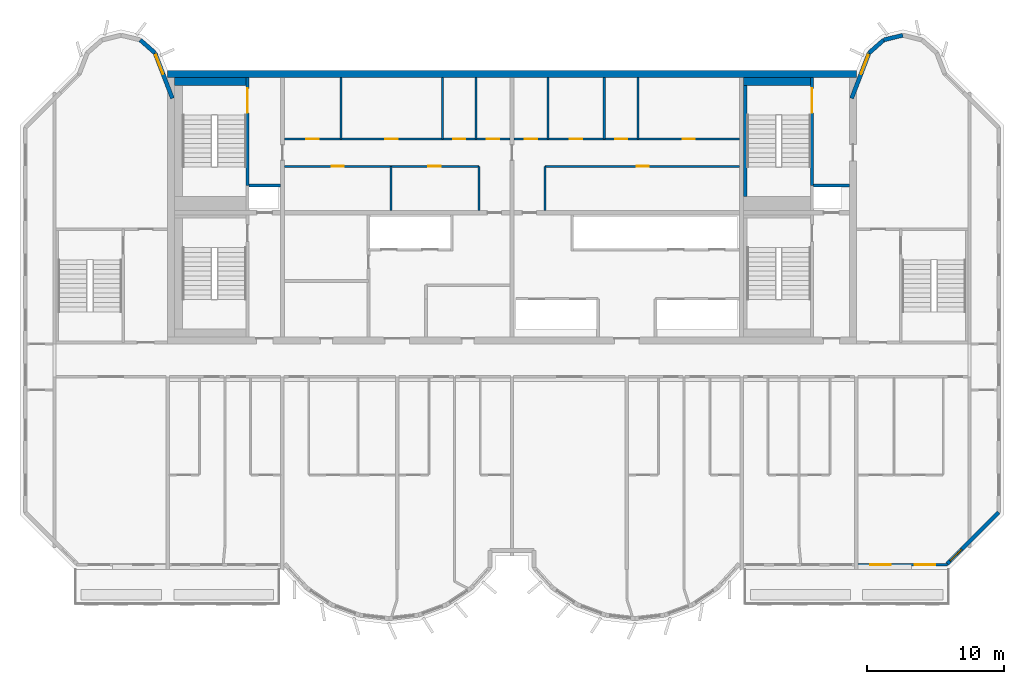
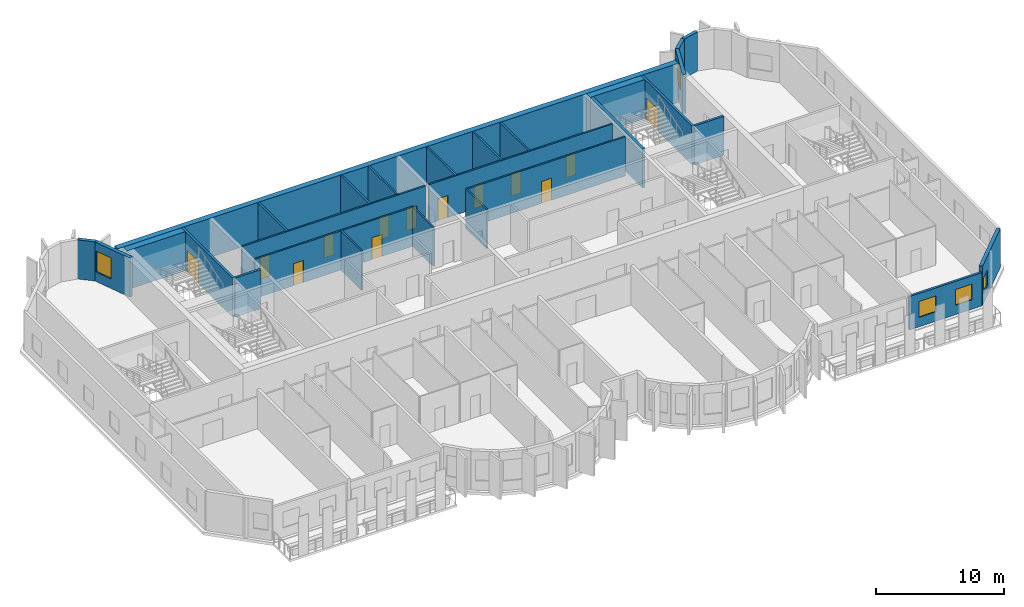
# One storey, part 7 of 12: 28 walls, 13 doors, 5 windows, 18 openings.
"""IFC4 building model written with IfcOpenShell, lengths in metres."""

from ifc_helpers import new_model, si_unit, direction, frame, frame_2d, origin, place, context, subcontext, project, spatial, rectangle, extrude, source, transform, mapped, material, layer, layer_set, type_object, element, fill, save


model = new_model("IFC4")

# Units and contexts
model_context = context("Model", 3, precision=1e-05, world=origin(), true_north=direction((0.0, 1.0)))
body_context = subcontext(model_context, "Body", "Model", "MODEL_VIEW")
ifc_project = project(units=[si_unit("LENGTHUNIT", "METRE"), si_unit("AREAUNIT", "SQUARE_METRE"), si_unit("VOLUMEUNIT", "CUBIC_METRE"), si_unit("PLANEANGLEUNIT", "RADIAN"), si_unit("MASSUNIT", "GRAM", prefix="KILO")], contexts=[model_context])

# Site, building, storey
site_placement = place(None, origin())
site = spatial("IfcSite", under=ifc_project, at=site_placement, CompositionType="ELEMENT")
building_placement = place(site_placement, origin())
building = spatial("IfcBuilding", under=site, at=building_placement, Name="Vanashikhar Sky Hotel", CompositionType="ELEMENT")
storey_placement = place(building_placement, frame((0.0, 0.0, 301.699951171875)))
storey = spatial("IfcBuildingStorey", under=building, at=storey_placement, Name="L72", CompositionType="ELEMENT", Elevation=301.699951171875)

# Wall
ifc_material_1 = material(Name="Concrete M50", Category="concrete")
ifc_layer_1 = layer(ifc_material_1, 0.5)
ifc_layer_set_1 = layer_set([ifc_layer_1], Name="RC core shell wall 500 Concrete M50")
wall_type_1 = type_object("IfcWallType", Name="RC core shell wall 500 Concrete M50", PredefinedType="SHEAR", material=ifc_layer_set_1)
shared_shape_1 = source(origin(), body_context, "Body", "SweptSolid", [
    extrude(rectangle(XDim=50.400146484375, YDim=0.5, at=frame_2d((25.2001953125, 0.0))), origin(), (0.0, 0.0, 1.0), 3.719970703125),
])
wall_1_placement = place(storey_placement, frame((25.199951171875, 41.75, 0.0), z_axis=(0.0, 0.0, 1.0), x_axis=(1.0, 0.0, 0.0)))
element("IfcWall", 1, at=wall_1_placement, inside=storey, type_object=wall_type_1, Name="KW-L72-KN", PredefinedType="SHEAR", context=body_context, shape_type="MappedRepresentation", body=[
    mapped(shared_shape_1, transform((0.0, 0.0, 0.0), scale=1.0)),
])

# Wall, openings, windows
ifc_layer_2 = layer(ifc_material_1, 0.199951171875)
ifc_layer_set_2 = layer_set([ifc_layer_2], Name="Front window wall 200")
wall_type_2 = type_object("IfcWallType", Name="Front window wall 200", PredefinedType="SOLIDWALL", material=ifc_layer_set_2)
shared_shape_2 = source(origin(), body_context, "Body", "SweptSolid", [
    extrude(rectangle(XDim=6.52978515625, YDim=0.199951171875, at=frame_2d((3.264892578125, 0.0))), origin(), (0.0, 0.0, 1.0), 3.170166015625),
])
wall_2_placement = place(storey_placement, frame((75.72509765625, 5.85009765625, 0.0), z_axis=(0.0, 0.0, 1.0), x_axis=(1.0, 0.0, 0.0)))
wall_2 = element("IfcWall", 2, at=wall_2_placement, inside=storey, type_object=wall_type_2, Name="Front window wall", PredefinedType="SOLIDWALL", context=body_context, shape_type="MappedRepresentation", body=[
    mapped(shared_shape_2, transform((0.0, 0.0, 0.0), scale=1.0)),
])
shared_shape_3 = source(origin(), body_context, "Body", "SweptSolid", [
    extrude(rectangle(XDim=1.5, YDim=1.5, at=frame_2d((0.75, 0.75))), frame((0.0, 0.10986328125, 0.0), z_axis=(0.0, -1.0, 0.0), x_axis=(1.0, 0.0, 0.0)), (0.0, 0.0, 1.0), 0.219970703125),
])
opening_1_placement = place(wall_2_placement, frame((0.882568359375, 0.0, 0.89990234375)))
opening_1 = element("IfcOpeningElement", 3, at=opening_1_placement, cuts=wall_2, Name="Opening WN-1", PredefinedType="OPENING", context=body_context, shape_type="MappedRepresentation", body=[
    mapped(shared_shape_3, transform((0.0, 0.0, 0.0), scale=1.0)),
])
opening_2_placement = place(wall_2_placement, frame((4.1474609375, 0.0, 0.89990234375)))
opening_2 = element("IfcOpeningElement", 4, at=opening_2_placement, cuts=wall_2, Name="Opening WN-1", PredefinedType="OPENING", context=body_context, shape_type="MappedRepresentation", body=[
    mapped(shared_shape_3, transform((0.0, 0.0, 0.0), scale=1.0)),
])
ifc_material_2 = material(Name="Glass", Category="glass")
window_type_1 = type_object("IfcWindowType", Name="Window 1500 x 1500", PartitioningType="SINGLE_PANEL", PredefinedType="WINDOW", material=ifc_material_2)
shared_shape_4 = source(origin(), body_context, "Body", "SweptSolid", [
    extrude(rectangle(XDim=1.5, YDim=1.5, at=frame_2d((0.75, 0.75))), frame((0.0, 0.030029296875, 0.0), z_axis=(0.0, -1.0, 0.0), x_axis=(1.0, 0.0, 0.0)), (0.0, 0.0, 1.0), 0.06005859375),
])
window_1_placement = place(opening_1_placement, origin())
window_1 = element("IfcWindow", 5, at=window_1_placement, inside=storey, type_object=window_type_1, Name="Window WN-1", OverallHeight=1.5, OverallWidth=1.5, PartitioningType="SINGLE_PANEL", PredefinedType="WINDOW", context=body_context, shape_type="MappedRepresentation", body=[
    mapped(shared_shape_4, transform((0.0, 0.0, 0.0), scale=1.0)),
])
fill(opening_1, window_1)
window_2_placement = place(opening_2_placement, origin())
window_2 = element("IfcWindow", 6, at=window_2_placement, inside=storey, type_object=window_type_1, Name="Window WN-1", OverallHeight=1.5, OverallWidth=1.5, PartitioningType="SINGLE_PANEL", PredefinedType="WINDOW", context=body_context, shape_type="MappedRepresentation", body=[
    mapped(shared_shape_4, transform((0.0, 0.0, 0.0), scale=1.0)),
])
fill(opening_2, window_2)

# Wall, opening, window
ifc_layer_3 = layer(ifc_material_1, 0.300048828125)
ifc_layer_set_3 = layer_set([ifc_layer_3], Name="Lobe wall 300")
wall_type_3 = type_object("IfcWallType", Name="Lobe wall 300", PredefinedType="SOLIDWALL", material=ifc_layer_set_3)
shared_shape_5 = source(origin(), body_context, "Body", "SweptSolid", [
    extrude(rectangle(XDim=5.32568359375, YDim=0.300048828125, at=frame_2d((2.662841796875, 0.0))), origin(), (0.0, 0.0, 1.0), 3.719970703125),
])
wall_3_placement = place(storey_placement, frame((82.234375, 5.89990234375, 0.0), z_axis=(0.0, 0.0, 1.0), x_axis=(0.707083859269, 0.707129702361, 0.0)))
wall_3 = element("IfcWall", 7, at=wall_3_placement, inside=storey, type_object=wall_type_3, Name="Corner wall", PredefinedType="SOLIDWALL", context=body_context, shape_type="MappedRepresentation", body=[
    mapped(shared_shape_5, transform((0.0, 0.0, 0.0), scale=1.0)),
])
shared_shape_6 = source(origin(), body_context, "Body", "SweptSolid", [
    extrude(rectangle(XDim=1.199951171875, YDim=1.5, at=frame_2d((0.60009765625, 0.75))), frame((0.0, 0.16015625, 0.0), z_axis=(0.0, -1.0, 0.0), x_axis=(1.0, 0.0, 0.0)), (0.0, 0.0, 1.0), 0.320068359375),
])
opening_3_placement = place(wall_3_placement, frame((0.31005859375, 0.0, 0.89990234375)))
opening_3 = element("IfcOpeningElement", 8, at=opening_3_placement, cuts=wall_3, Name="Opening WN-3", PredefinedType="OPENING", context=body_context, shape_type="MappedRepresentation", body=[
    mapped(shared_shape_6, transform((0.0, 0.0, 0.0), scale=1.0)),
])
window_type_2 = type_object("IfcWindowType", Name="Corridor end window 1200 x 1500", PartitioningType="SINGLE_PANEL", PredefinedType="WINDOW", material=ifc_material_2)
shared_shape_7 = source(origin(), body_context, "Body", "SweptSolid", [
    extrude(rectangle(XDim=1.199951171875, YDim=1.5, at=frame_2d((0.60009765625, 0.75))), frame((0.0, 0.030029296875, 0.0), z_axis=(0.0, -1.0, 0.0), x_axis=(1.0, 0.0, 0.0)), (0.0, 0.0, 1.0), 0.06005859375),
])
window_3_placement = place(opening_3_placement, origin())
window_3 = element("IfcWindow", 9, at=window_3_placement, inside=storey, type_object=window_type_2, Name="Window WN-3", OverallHeight=1.5, OverallWidth=1.199951171875, PartitioningType="SINGLE_PANEL", PredefinedType="WINDOW", context=body_context, shape_type="MappedRepresentation", body=[
    mapped(shared_shape_7, transform((0.0, 0.0, 0.0), scale=1.0)),
])
fill(opening_3, window_3)

# Walls
shared_shape_8 = source(origin(), body_context, "Body", "SweptSolid", [
    extrude(rectangle(XDim=1.43994140625, YDim=0.300048828125, at=frame_2d((0.719970703125, 0.0))), origin(), (0.0, 0.0, 1.0), 3.719970703125),
])
wall_4_placement = place(storey_placement, frame((77.602783203125, 44.2451171875, 0.0), z_axis=(0.0, 0.0, 1.0), x_axis=(-0.74957555648, -0.661918790432, 0.0)))
element("IfcWall", 10, at=wall_4_placement, inside=storey, type_object=wall_type_3, Name="Lobe wall", PredefinedType="SOLIDWALL", context=body_context, shape_type="MappedRepresentation", body=[
    mapped(shared_shape_8, transform((0.0, 0.0, 0.0), scale=1.0)),
])
shared_shape_9 = source(origin(), body_context, "Body", "SweptSolid", [
    extrude(rectangle(XDim=1.438720703125, YDim=0.300048828125, at=frame_2d((0.71923828125, 0.0))), origin(), (0.0, 0.0, 1.0), 3.719970703125),
])
wall_5_placement = place(storey_placement, frame((79.0, 44.588134765625, 0.0), z_axis=(0.0, 0.0, 1.0), x_axis=(-0.971161932466, -0.238420848351, 0.0)))
element("IfcWall", 11, at=wall_5_placement, inside=storey, type_object=wall_type_3, Name="Lobe wall", PredefinedType="SOLIDWALL", context=body_context, shape_type="MappedRepresentation", body=[
    mapped(shared_shape_9, transform((0.0, 0.0, 0.0), scale=1.0)),
])

# Wall, opening, window
shared_shape_10 = source(origin(), body_context, "Body", "SweptSolid", [
    extrude(rectangle(XDim=3.55908203125, YDim=0.300048828125, at=frame_2d((1.779541015625, 0.0))), origin(), (0.0, 0.0, 1.0), 3.719970703125),
])
wall_6_placement = place(storey_placement, frame((76.5234375, 43.2919921875, 0.0), z_axis=(0.0, 0.0, 1.0), x_axis=(-0.35779745313, -0.933799219604, 0.0)))
wall_6 = element("IfcWall", 12, at=wall_6_placement, inside=storey, type_object=wall_type_3, Name="Lobe wall", PredefinedType="SOLIDWALL", context=body_context, shape_type="MappedRepresentation", body=[
    mapped(shared_shape_10, transform((0.0, 0.0, 0.0), scale=1.0)),
])
shared_shape_11 = source(origin(), body_context, "Body", "SweptSolid", [
    extrude(rectangle(XDim=1.5, YDim=2.0, at=frame_2d((0.75, 1.0))), frame((0.0, 0.16015625, 0.0), z_axis=(0.0, -1.0, 0.0), x_axis=(1.0, 0.0, 0.0)), (0.0, 0.0, 1.0), 0.320068359375),
])
opening_4_placement = place(wall_6_placement, frame((0.156005859375, 0.0, 0.89990234375)))
opening_4 = element("IfcOpeningElement", 13, at=opening_4_placement, cuts=wall_6, Name="Opening WN-2", PredefinedType="OPENING", context=body_context, shape_type="MappedRepresentation", body=[
    mapped(shared_shape_11, transform((0.0, 0.0, 0.0), scale=1.0)),
])
window_type_3 = type_object("IfcWindowType", Name="Lobe window 1500 x 2000", PartitioningType="SINGLE_PANEL", PredefinedType="WINDOW", material=ifc_material_2)
shared_shape_12 = source(origin(), body_context, "Body", "SweptSolid", [
    extrude(rectangle(XDim=1.5, YDim=2.0, at=frame_2d((0.75, 1.0))), frame((0.0, 0.030029296875, 0.0), z_axis=(0.0, -1.0, 0.0), x_axis=(1.0, 0.0, 0.0)), (0.0, 0.0, 1.0), 0.06005859375),
])
window_4_placement = place(opening_4_placement, origin())
window_4 = element("IfcWindow", 14, at=window_4_placement, inside=storey, type_object=window_type_3, Name="Window WN-2", OverallHeight=2.0, OverallWidth=1.5, PartitioningType="SINGLE_PANEL", PredefinedType="WINDOW", context=body_context, shape_type="MappedRepresentation", body=[
    mapped(shared_shape_12, transform((0.0, 0.0, 0.0), scale=1.0)),
])
fill(opening_4, window_4)

wall_7_placement = place(storey_placement, frame((25.550048828125, 39.968505859375, 0.0), z_axis=(0.0, 0.0, 1.0), x_axis=(-0.35779745313, 0.933799219604, 0.0)))
wall_7 = element("IfcWall", 15, at=wall_7_placement, inside=storey, type_object=wall_type_3, Name="Lobe wall", PredefinedType="SOLIDWALL", context=body_context, shape_type="MappedRepresentation", body=[
    mapped(shared_shape_10, transform((0.0, 0.0, 0.0), scale=1.0)),
])
opening_5_placement = place(wall_7_placement, frame((1.9033203125, 0.0, 0.89990234375)))
opening_5 = element("IfcOpeningElement", 16, at=opening_5_placement, cuts=wall_7, Name="Opening WN-2", PredefinedType="OPENING", context=body_context, shape_type="MappedRepresentation", body=[
    mapped(shared_shape_11, transform((0.0, 0.0, 0.0), scale=1.0)),
])
window_5_placement = place(opening_5_placement, origin())
window_5 = element("IfcWindow", 17, at=window_5_placement, inside=storey, type_object=window_type_3, Name="Window WN-2", OverallHeight=2.0, OverallWidth=1.5, PartitioningType="SINGLE_PANEL", PredefinedType="WINDOW", context=body_context, shape_type="MappedRepresentation", body=[
    mapped(shared_shape_12, transform((0.0, 0.0, 0.0), scale=1.0)),
])
fill(opening_5, window_5)

# Walls
shared_shape_13 = source(origin(), body_context, "Body", "SweptSolid", [
    extrude(rectangle(XDim=1.440185546875, YDim=0.300048828125, at=frame_2d((0.72021484375, 0.0))), origin(), (0.0, 0.0, 1.0), 3.719970703125),
])
wall_8_placement = place(storey_placement, frame((24.276611328125, 43.2919921875, 0.0), z_axis=(0.0, 0.0, 1.0), x_axis=(-0.749649827867, 0.661834673902, 0.0)))
element("IfcWall", 18, at=wall_8_placement, inside=storey, type_object=wall_type_3, Name="Lobe wall", PredefinedType="SOLIDWALL", context=body_context, shape_type="MappedRepresentation", body=[
    mapped(shared_shape_13, transform((0.0, 0.0, 0.0), scale=1.0)),
])
ifc_material_3 = material(Name="Gypsum board partition")
ifc_layer_4 = layer(ifc_material_3, 0.14990234375)
ifc_layer_set_4 = layer_set([ifc_layer_4], Name="Service partition 150")
wall_type_4 = type_object("IfcWallType", Name="Service partition 150", PredefinedType="PARTITIONING", material=ifc_layer_set_4)
shared_shape_14 = source(origin(), body_context, "Body", "SweptSolid", [
    extrude(rectangle(XDim=3.25, YDim=0.14990234375, at=frame_2d((1.625, 0.0))), origin(), (0.0, 0.0, 1.0), 3.719970703125),
])
for number, where, z_axis, x_axis, name in (
    (19, (48.0, 31.75, 0.0), (0.0, 0.0, 1.0), (0.0, 1.0, 0.0), "Service partition 150"),
    (20, (41.5458984375, 31.75, 0.0), (0.0, 0.0, 1.0), (0.0, 1.0, 0.0), "Service partition 150"),
    (21, (52.800048828125, 31.75, 0.0), (0.0, 0.0, 1.0), (0.0, 1.0, 0.0), "Service partition 150"),
):
    element("IfcWall", number, at=place(storey_placement, frame(where, z_axis=z_axis, x_axis=x_axis)), inside=storey, type_object=wall_type_4, Name=name, PredefinedType="PARTITIONING", context=body_context, shape_type="MappedRepresentation", body=[
        mapped(shared_shape_14, transform((0.0, 0.0, 0.0), scale=1.0)),
    ])

# Wall, openings, doors
shared_shape_15 = source(origin(), body_context, "Body", "SweptSolid", [
    extrude(rectangle(XDim=14.25, YDim=0.14990234375, at=frame_2d((7.125, 0.0))), origin(), (0.0, 0.0, 1.0), 3.719970703125),
])
wall_9_placement = place(storey_placement, frame((33.75, 35.0, 0.0), z_axis=(0.0, 0.0, 1.0), x_axis=(1.0, 0.0, 0.0)))
wall_9 = element("IfcWall", 22, at=wall_9_placement, inside=storey, type_object=wall_type_4, Name="Service partition 150", PredefinedType="PARTITIONING", context=body_context, shape_type="MappedRepresentation", body=[
    mapped(shared_shape_15, transform((0.0, 0.0, 0.0), scale=1.0)),
])
shared_shape_16 = source(origin(), body_context, "Body", "SweptSolid", [
    extrude(rectangle(XDim=0.89990234375, YDim=2.10009765625, at=frame_2d((0.449951171875, 1.050048828125))), frame((0.0, 0.0849609375, 0.0), z_axis=(0.0, -1.0, 0.0), x_axis=(1.0, 0.0, 0.0)), (0.0, 0.0, 1.0), 0.169921875),
])
opening_6_placement = place(wall_9_placement, frame((3.447998046875, 0.0, 0.0)))
opening_6 = element("IfcOpeningElement", 23, at=opening_6_placement, cuts=wall_9, Name="Opening DC-4-A", PredefinedType="OPENING", context=body_context, shape_type="MappedRepresentation", body=[
    mapped(shared_shape_16, transform((0.0, 0.0, 0.0), scale=1.0)),
])
opening_7_placement = place(wall_9_placement, frame((10.535888671875, 0.0, 0.0)))
opening_7 = element("IfcOpeningElement", 24, at=opening_7_placement, cuts=wall_9, Name="Opening DC-4-A", PredefinedType="OPENING", context=body_context, shape_type="MappedRepresentation", body=[
    mapped(shared_shape_16, transform((0.0, 0.0, 0.0), scale=1.0)),
])
ifc_material_4 = material(Name="Steel", Category="steel")
door_type_1 = type_object("IfcDoorType", Name="Service door 900 FD60", OperationType="NOTDEFINED", PredefinedType="DOOR", material=ifc_material_4)
shared_shape_17 = source(origin(), body_context, "Body", "SweptSolid", [
    extrude(rectangle(XDim=0.89990234375, YDim=2.10009765625, at=frame_2d((0.449951171875, 1.050048828125))), frame((0.0, 0.02490234375, 0.0), z_axis=(0.0, -1.0, 0.0), x_axis=(1.0, 0.0, 0.0)), (0.0, 0.0, 1.0), 0.050048828125),
])
door_1_placement = place(opening_6_placement, origin())
door_1 = element("IfcDoor", 25, at=door_1_placement, inside=storey, type_object=door_type_1, Name="Service door 900 FD60", OperationType="SINGLE_SWING_RIGHT", OverallHeight=2.10009765625, OverallWidth=0.89990234375, PredefinedType="DOOR", context=body_context, shape_type="MappedRepresentation", body=[
    mapped(shared_shape_17, transform((0.0, 0.0, 0.0), scale=1.0)),
])
fill(opening_6, door_1)
door_2_placement = place(opening_7_placement, origin())
door_2 = element("IfcDoor", 26, at=door_2_placement, inside=storey, type_object=door_type_1, Name="Service door 900 FD60", OperationType="SINGLE_SWING_RIGHT", OverallHeight=2.10009765625, OverallWidth=0.89990234375, PredefinedType="DOOR", context=body_context, shape_type="MappedRepresentation", body=[
    mapped(shared_shape_17, transform((0.0, 0.0, 0.0), scale=1.0)),
])
fill(opening_7, door_2)

# Wall, opening, door
wall_10_placement = place(storey_placement, frame((67.050048828125, 35.0, 0.0), z_axis=(0.0, 0.0, 1.0), x_axis=(-1.0, 0.0, 0.0)))
wall_10 = element("IfcWall", 27, at=wall_10_placement, inside=storey, type_object=wall_type_4, Name="Service partition 150", PredefinedType="PARTITIONING", context=body_context, shape_type="MappedRepresentation", body=[
    mapped(shared_shape_15, transform((0.0, 0.0, 0.0), scale=1.0)),
])
opening_8_placement = place(wall_10_placement, frame((6.637939453125, 0.0, 0.0)))
opening_8 = element("IfcOpeningElement", 28, at=opening_8_placement, cuts=wall_10, Name="Opening DC-4-A", PredefinedType="OPENING", context=body_context, shape_type="MappedRepresentation", body=[
    mapped(shared_shape_16, transform((0.0, 0.0, 0.0), scale=1.0)),
])
door_3_placement = place(opening_8_placement, origin())
door_3 = element("IfcDoor", 29, at=door_3_placement, inside=storey, type_object=door_type_1, Name="Service door 900 FD60", OperationType="SINGLE_SWING_RIGHT", OverallHeight=2.10009765625, OverallWidth=0.89990234375, PredefinedType="DOOR", context=body_context, shape_type="MappedRepresentation", body=[
    mapped(shared_shape_17, transform((0.0, 0.0, 0.0), scale=1.0)),
])
fill(opening_8, door_3)

# Wall, openings, doors
shared_shape_18 = source(origin(), body_context, "Body", "SweptSolid", [
    extrude(rectangle(XDim=16.5, YDim=0.14990234375, at=frame_2d((8.25, 0.0))), origin(), (0.0, 0.0, 1.0), 3.719970703125),
])
wall_11_placement = place(storey_placement, frame((33.75, 37.0, 0.0), z_axis=(0.0, 0.0, 1.0), x_axis=(1.0, 0.0, 0.0)))
wall_11 = element("IfcWall", 30, at=wall_11_placement, inside=storey, type_object=wall_type_4, Name="Service partition 150", PredefinedType="PARTITIONING", context=body_context, shape_type="MappedRepresentation", body=[
    mapped(shared_shape_18, transform((0.0, 0.0, 0.0), scale=1.0)),
])
opening_9_placement = place(wall_11_placement, frame((1.612060546875, 0.0, 0.0)))
opening_9 = element("IfcOpeningElement", 31, at=opening_9_placement, cuts=wall_11, Name="Opening DC-4-A", PredefinedType="OPENING", context=body_context, shape_type="MappedRepresentation", body=[
    mapped(shared_shape_16, transform((0.0, 0.0, 0.0), scale=1.0)),
])
opening_10_placement = place(wall_11_placement, frame((7.386962890625, 0.0, 0.0)))
opening_10 = element("IfcOpeningElement", 32, at=opening_10_placement, cuts=wall_11, Name="Opening DC-4-A", PredefinedType="OPENING", context=body_context, shape_type="MappedRepresentation", body=[
    mapped(shared_shape_16, transform((0.0, 0.0, 0.0), scale=1.0)),
])
opening_11_placement = place(wall_11_placement, frame((12.3369140625, 0.0, 0.0)))
opening_11 = element("IfcOpeningElement", 33, at=opening_11_placement, cuts=wall_11, Name="Opening DC-4-A", PredefinedType="OPENING", context=body_context, shape_type="MappedRepresentation", body=[
    mapped(shared_shape_16, transform((0.0, 0.0, 0.0), scale=1.0)),
])
opening_12_placement = place(wall_11_placement, frame((14.81298828125, 0.0, 0.0)))
opening_12 = element("IfcOpeningElement", 34, at=opening_12_placement, cuts=wall_11, Name="Opening DC-4-A", PredefinedType="OPENING", context=body_context, shape_type="MappedRepresentation", body=[
    mapped(shared_shape_16, transform((0.0, 0.0, 0.0), scale=1.0)),
])
door_4_placement = place(opening_9_placement, origin())
door_4 = element("IfcDoor", 35, at=door_4_placement, inside=storey, type_object=door_type_1, Name="Service door 900 FD60", OperationType="SINGLE_SWING_RIGHT", OverallHeight=2.10009765625, OverallWidth=0.89990234375, PredefinedType="DOOR", context=body_context, shape_type="MappedRepresentation", body=[
    mapped(shared_shape_17, transform((0.0, 0.0, 0.0), scale=1.0)),
])
fill(opening_9, door_4)
door_5_placement = place(opening_10_placement, origin())
door_5 = element("IfcDoor", 36, at=door_5_placement, inside=storey, type_object=door_type_1, Name="Service door 900 FD60", OperationType="SINGLE_SWING_LEFT", OverallHeight=2.10009765625, OverallWidth=0.89990234375, PredefinedType="DOOR", context=body_context, shape_type="MappedRepresentation", body=[
    mapped(shared_shape_17, transform((0.0, 0.0, 0.0), scale=1.0)),
])
fill(opening_10, door_5)
door_6_placement = place(opening_11_placement, origin())
door_6 = element("IfcDoor", 37, at=door_6_placement, inside=storey, type_object=door_type_1, Name="Service door 900 FD60", OperationType="SINGLE_SWING_LEFT", OverallHeight=2.10009765625, OverallWidth=0.89990234375, PredefinedType="DOOR", context=body_context, shape_type="MappedRepresentation", body=[
    mapped(shared_shape_17, transform((0.0, 0.0, 0.0), scale=1.0)),
])
fill(opening_11, door_6)
door_7_placement = place(opening_12_placement, origin())
door_7 = element("IfcDoor", 38, at=door_7_placement, inside=storey, type_object=door_type_1, Name="Service door 900 FD60", OperationType="SINGLE_SWING_LEFT", OverallHeight=2.10009765625, OverallWidth=0.89990234375, PredefinedType="DOOR", context=body_context, shape_type="MappedRepresentation", body=[
    mapped(shared_shape_17, transform((0.0, 0.0, 0.0), scale=1.0)),
])
fill(opening_12, door_7)

wall_12_placement = place(storey_placement, frame((67.050048828125, 37.0, 0.0), z_axis=(0.0, 0.0, 1.0), x_axis=(-1.0, 0.0, 0.0)))
wall_12 = element("IfcWall", 39, at=wall_12_placement, inside=storey, type_object=wall_type_4, Name="Service partition 150", PredefinedType="PARTITIONING", context=body_context, shape_type="MappedRepresentation", body=[
    mapped(shared_shape_18, transform((0.0, 0.0, 0.0), scale=1.0)),
])
opening_13_placement = place(wall_12_placement, frame((3.262939453125, 0.0, 0.0)))
opening_13 = element("IfcOpeningElement", 40, at=opening_13_placement, cuts=wall_12, Name="Opening DC-4-A", PredefinedType="OPENING", context=body_context, shape_type="MappedRepresentation", body=[
    mapped(shared_shape_16, transform((0.0, 0.0, 0.0), scale=1.0)),
])
opening_14_placement = place(wall_12_placement, frame((8.2119140625, 0.0, 0.0)))
opening_14 = element("IfcOpeningElement", 41, at=opening_14_placement, cuts=wall_12, Name="Opening DC-4-A", PredefinedType="OPENING", context=body_context, shape_type="MappedRepresentation", body=[
    mapped(shared_shape_16, transform((0.0, 0.0, 0.0), scale=1.0)),
])
opening_15_placement = place(wall_12_placement, frame((11.512939453125, 0.0, 0.0)))
opening_15 = element("IfcOpeningElement", 42, at=opening_15_placement, cuts=wall_12, Name="Opening DC-4-A", PredefinedType="OPENING", context=body_context, shape_type="MappedRepresentation", body=[
    mapped(shared_shape_16, transform((0.0, 0.0, 0.0), scale=1.0)),
])
opening_16_placement = place(wall_12_placement, frame((14.81298828125, 0.0, 0.0)))
opening_16 = element("IfcOpeningElement", 43, at=opening_16_placement, cuts=wall_12, Name="Opening DC-4-A", PredefinedType="OPENING", context=body_context, shape_type="MappedRepresentation", body=[
    mapped(shared_shape_16, transform((0.0, 0.0, 0.0), scale=1.0)),
])
door_8_placement = place(opening_13_placement, origin())
door_8 = element("IfcDoor", 44, at=door_8_placement, inside=storey, type_object=door_type_1, Name="Service door 900 FD60", OperationType="SINGLE_SWING_RIGHT", OverallHeight=2.10009765625, OverallWidth=0.89990234375, PredefinedType="DOOR", context=body_context, shape_type="MappedRepresentation", body=[
    mapped(shared_shape_17, transform((0.0, 0.0, 0.0), scale=1.0)),
])
fill(opening_13, door_8)
door_9_placement = place(opening_14_placement, origin())
door_9 = element("IfcDoor", 45, at=door_9_placement, inside=storey, type_object=door_type_1, Name="Service door 900 FD60", OperationType="SINGLE_SWING_RIGHT", OverallHeight=2.10009765625, OverallWidth=0.89990234375, PredefinedType="DOOR", context=body_context, shape_type="MappedRepresentation", body=[
    mapped(shared_shape_17, transform((0.0, 0.0, 0.0), scale=1.0)),
])
fill(opening_14, door_9)
door_10_placement = place(opening_15_placement, origin())
door_10 = element("IfcDoor", 46, at=door_10_placement, inside=storey, type_object=door_type_1, Name="Service door 900 FD60", OperationType="SINGLE_SWING_RIGHT", OverallHeight=2.10009765625, OverallWidth=0.89990234375, PredefinedType="DOOR", context=body_context, shape_type="MappedRepresentation", body=[
    mapped(shared_shape_17, transform((0.0, 0.0, 0.0), scale=1.0)),
])
fill(opening_15, door_10)
door_11_placement = place(opening_16_placement, origin())
door_11 = element("IfcDoor", 47, at=door_11_placement, inside=storey, type_object=door_type_1, Name="Service door 900 FD60", OperationType="SINGLE_SWING_RIGHT", OverallHeight=2.10009765625, OverallWidth=0.89990234375, PredefinedType="DOOR", context=body_context, shape_type="MappedRepresentation", body=[
    mapped(shared_shape_17, transform((0.0, 0.0, 0.0), scale=1.0)),
])
fill(opening_16, door_11)

# Walls
shared_shape_19 = source(origin(), body_context, "Body", "SweptSolid", [
    extrude(rectangle(XDim=4.5, YDim=0.14990234375, at=frame_2d((2.25, 0.0))), origin(), (0.0, 0.0, 1.0), 3.719970703125),
])
for number, where, z_axis, x_axis, name in (
    (48, (37.875, 37.0, 0.0), (0.0, 0.0, 1.0), (0.0, 1.0, 0.0), "Service partition 150"),
    (49, (45.300048828125, 37.0, 0.0), (0.0, 0.0, 1.0), (0.0, 1.0, 0.0), "Service partition 150"),
    (50, (47.77490234375, 37.0, 0.0), (0.0, 0.0, 1.0), (0.0, 1.0, 0.0), "Service partition 150"),
    (51, (59.625, 37.0, 0.0), (0.0, 0.0, 1.0), (0.0, 1.0, 0.0), "Service partition 150"),
    (52, (57.14990234375, 37.0, 0.0), (0.0, 0.0, 1.0), (0.0, 1.0, 0.0), "Service partition 150"),
    (53, (53.02490234375, 37.0, 0.0), (0.0, 0.0, 1.0), (0.0, 1.0, 0.0), "Service partition 150"),
):
    element("IfcWall", number, at=place(storey_placement, frame(where, z_axis=z_axis, x_axis=x_axis)), inside=storey, type_object=wall_type_4, Name=name, PredefinedType="PARTITIONING", context=body_context, shape_type="MappedRepresentation", body=[
        mapped(shared_shape_19, transform((0.0, 0.0, 0.0), scale=1.0)),
    ])
ifc_material_5 = material(Name="Concrete M40", Category="concrete")
ifc_layer_5 = layer(ifc_material_5, 0.199951171875)
ifc_layer_set_5 = layer_set([ifc_layer_5], Name="Shaft wall 200")
wall_type_5 = type_object("IfcWallType", Name="Shaft wall 200", PredefinedType="SOLIDWALL", material=ifc_layer_set_5)
shared_shape_20 = source(origin(), body_context, "Body", "SweptSolid", [
    extrude(rectangle(XDim=2.300048828125, YDim=0.199951171875, at=frame_2d((1.14990234375, 0.0))), origin(), (0.0, 0.0, 1.0), 3.719970703125),
])
wall_13_placement = place(storey_placement, frame((31.14990234375, 33.60009765625, 0.0), z_axis=(0.0, 0.0, 1.0), x_axis=(1.0, 0.0, 0.0)))
element("IfcWall", 54, at=wall_13_placement, inside=storey, type_object=wall_type_5, Name="Shaft wall 200", PredefinedType="SOLIDWALL", context=body_context, shape_type="MappedRepresentation", body=[
    mapped(shared_shape_20, transform((0.0, 0.0, 0.0), scale=1.0)),
])

# Wall, opening, door
ifc_layer_6 = layer(ifc_material_1, 0.199951171875)
ifc_layer_set_6 = layer_set([ifc_layer_6], Name="Stair wall 200")
wall_type_6 = type_object("IfcWallType", Name="Stair wall 200", PredefinedType="SOLIDWALL", material=ifc_layer_set_6)
shared_shape_21 = source(origin(), body_context, "Body", "SweptSolid", [
    extrude(rectangle(XDim=7.89990234375, YDim=0.199951171875, at=frame_2d((3.949951171875, 0.0))), origin(), (0.0, 0.0, 1.0), 3.719970703125),
])
wall_14_placement = place(storey_placement, frame((31.050048828125, 33.60009765625, 0.0), z_axis=(0.0, 0.0, 1.0), x_axis=(0.0, 1.0, 0.0)))
wall_14 = element("IfcWall", 55, at=wall_14_placement, inside=storey, type_object=wall_type_6, Name="Stair wall 200", PredefinedType="SOLIDWALL", context=body_context, shape_type="MappedRepresentation", body=[
    mapped(shared_shape_21, transform((0.0, 0.0, 0.0), scale=1.0)),
])
shared_shape_22 = source(origin(), body_context, "Body", "SweptSolid", [
    extrude(rectangle(XDim=1.800048828125, YDim=2.10009765625, at=frame_2d((0.89990234375, 1.050048828125))), frame((0.0, 0.10986328125, 0.0), z_axis=(0.0, -1.0, 0.0), x_axis=(1.0, 0.0, 0.0)), (0.0, 0.0, 1.0), 0.219970703125),
])
opening_17_placement = place(wall_14_placement, frame((5.300048828125, 0.0, 0.0)))
opening_17 = element("IfcOpeningElement", 56, at=opening_17_placement, cuts=wall_14, Name="Opening DC-1-A", PredefinedType="OPENING", context=body_context, shape_type="MappedRepresentation", body=[
    mapped(shared_shape_22, transform((0.0, 0.0, 0.0), scale=1.0)),
])
door_type_2 = type_object("IfcDoorType", Name="Stair door 1800 FD120", OperationType="NOTDEFINED", PredefinedType="DOOR", material=ifc_material_4)
shared_shape_23 = source(origin(), body_context, "Body", "SweptSolid", [
    extrude(rectangle(XDim=1.800048828125, YDim=2.10009765625, at=frame_2d((0.89990234375, 1.050048828125))), frame((0.0, 0.02490234375, 0.0), z_axis=(0.0, -1.0, 0.0), x_axis=(1.0, 0.0, 0.0)), (0.0, 0.0, 1.0), 0.050048828125),
])
door_12_placement = place(opening_17_placement, origin())
door_12 = element("IfcDoor", 57, at=door_12_placement, inside=storey, type_object=door_type_2, Name="Stair door 1800 FD120", OperationType="SINGLE_SWING_RIGHT", OverallHeight=2.10009765625, OverallWidth=1.800048828125, PredefinedType="DOOR", context=body_context, shape_type="MappedRepresentation", body=[
    mapped(shared_shape_23, transform((0.0, 0.0, 0.0), scale=1.0)),
])
fill(opening_17, door_12)

wall_15_placement = place(storey_placement, frame((72.35009765625, 33.60009765625, 0.0), z_axis=(0.0, 0.0, 1.0), x_axis=(0.0, 1.0, 0.0)))
wall_15 = element("IfcWall", 58, at=wall_15_placement, inside=storey, type_object=wall_type_6, Name="Stair wall 200", PredefinedType="SOLIDWALL", context=body_context, shape_type="MappedRepresentation", body=[
    mapped(shared_shape_21, transform((0.0, 0.0, 0.0), scale=1.0)),
])
opening_18_placement = place(wall_15_placement, frame((5.300048828125, 0.0, 0.0)))
opening_18 = element("IfcOpeningElement", 59, at=opening_18_placement, cuts=wall_15, Name="Opening DC-1-A", PredefinedType="OPENING", context=body_context, shape_type="MappedRepresentation", body=[
    mapped(shared_shape_22, transform((0.0, 0.0, 0.0), scale=1.0)),
])
door_13_placement = place(opening_18_placement, origin())
door_13 = element("IfcDoor", 60, at=door_13_placement, inside=storey, type_object=door_type_2, Name="Stair door 1800 FD120", OperationType="SINGLE_SWING_RIGHT", OverallHeight=2.10009765625, OverallWidth=1.800048828125, PredefinedType="DOOR", context=body_context, shape_type="MappedRepresentation", body=[
    mapped(shared_shape_23, transform((0.0, 0.0, 0.0), scale=1.0)),
])
fill(opening_18, door_13)

# Walls
shared_shape_24 = source(origin(), body_context, "Body", "SweptSolid", [
    extrude(rectangle(XDim=2.650146484375, YDim=0.199951171875, at=frame_2d((1.3251953125, 0.0))), origin(), (0.0, 0.0, 1.0), 3.719970703125),
])
wall_16_placement = place(storey_placement, frame((72.449951171875, 33.60009765625, 0.0), z_axis=(0.0, 0.0, 1.0), x_axis=(1.0, 0.0, 0.0)))
element("IfcWall", 61, at=wall_16_placement, inside=storey, type_object=wall_type_5, Name="Shaft wall 200", PredefinedType="SOLIDWALL", context=body_context, shape_type="MappedRepresentation", body=[
    mapped(shared_shape_24, transform((0.0, 0.0, 0.0), scale=1.0)),
])
ifc_layer_7 = layer(ifc_material_1, 0.60009765625)
ifc_layer_set_7 = layer_set([ifc_layer_7], Name="Stair infill wall 600")
wall_type_7 = type_object("IfcWallType", Name="Stair infill wall 600", PredefinedType="SOLIDWALL", material=ifc_layer_set_7)
shared_shape_25 = source(origin(), body_context, "Body", "SweptSolid", [
    extrude(rectangle(XDim=5.25, YDim=0.60009765625, at=frame_2d((2.625, 0.0))), origin(), (0.0, 0.0, 1.0), 3.719970703125),
])
wall_17_placement = place(storey_placement, frame((25.699951171875, 41.199951171875, 0.0), z_axis=(0.0, 0.0, 1.0), x_axis=(1.0, 0.0, 0.0)))
element("IfcWall", 62, at=wall_17_placement, inside=storey, type_object=wall_type_7, Name="Stair infill wall 600", PredefinedType="SOLIDWALL", context=body_context, shape_type="MappedRepresentation", body=[
    mapped(shared_shape_25, transform((0.0, 0.0, 0.0), scale=1.0)),
])
shared_shape_26 = source(origin(), body_context, "Body", "SweptSolid", [
    extrude(rectangle(XDim=4.89990234375, YDim=0.60009765625, at=frame_2d((2.449951171875, 0.0))), origin(), (0.0, 0.0, 1.0), 3.719970703125),
])
wall_18_placement = place(storey_placement, frame((67.35009765625, 41.199951171875, 0.0), z_axis=(0.0, 0.0, 1.0), x_axis=(1.0, 0.0, 0.0)))
element("IfcWall", 63, at=wall_18_placement, inside=storey, type_object=wall_type_7, Name="Stair infill wall 600", PredefinedType="SOLIDWALL", context=body_context, shape_type="MappedRepresentation", body=[
    mapped(shared_shape_26, transform((0.0, 0.0, 0.0), scale=1.0)),
])
ifc_layer_8 = layer(ifc_material_1, 0.25)
ifc_layer_set_8 = layer_set([ifc_layer_8], Name="Stair infill wall 250")
wall_type_8 = type_object("IfcWallType", Name="Stair infill wall 250", PredefinedType="SOLIDWALL", material=ifc_layer_set_8)
shared_shape_27 = source(origin(), body_context, "Body", "SweptSolid", [
    extrude(rectangle(XDim=8.099853515625, YDim=0.25, at=frame_2d((4.0498046875, 0.0))), origin(), (0.0, 0.0, 1.0), 3.719970703125),
])
wall_19_placement = place(storey_placement, frame((67.47509765625, 32.800048828125, 0.0), z_axis=(0.0, 0.0, 1.0), x_axis=(0.0, 1.0, 0.0)))
element("IfcWall", 64, at=wall_19_placement, inside=storey, type_object=wall_type_8, Name="Stair infill wall 250", PredefinedType="SOLIDWALL", context=body_context, shape_type="MappedRepresentation", body=[
    mapped(shared_shape_27, transform((0.0, 0.0, 0.0), scale=1.0)),
])

save(model, "model.ifc")
